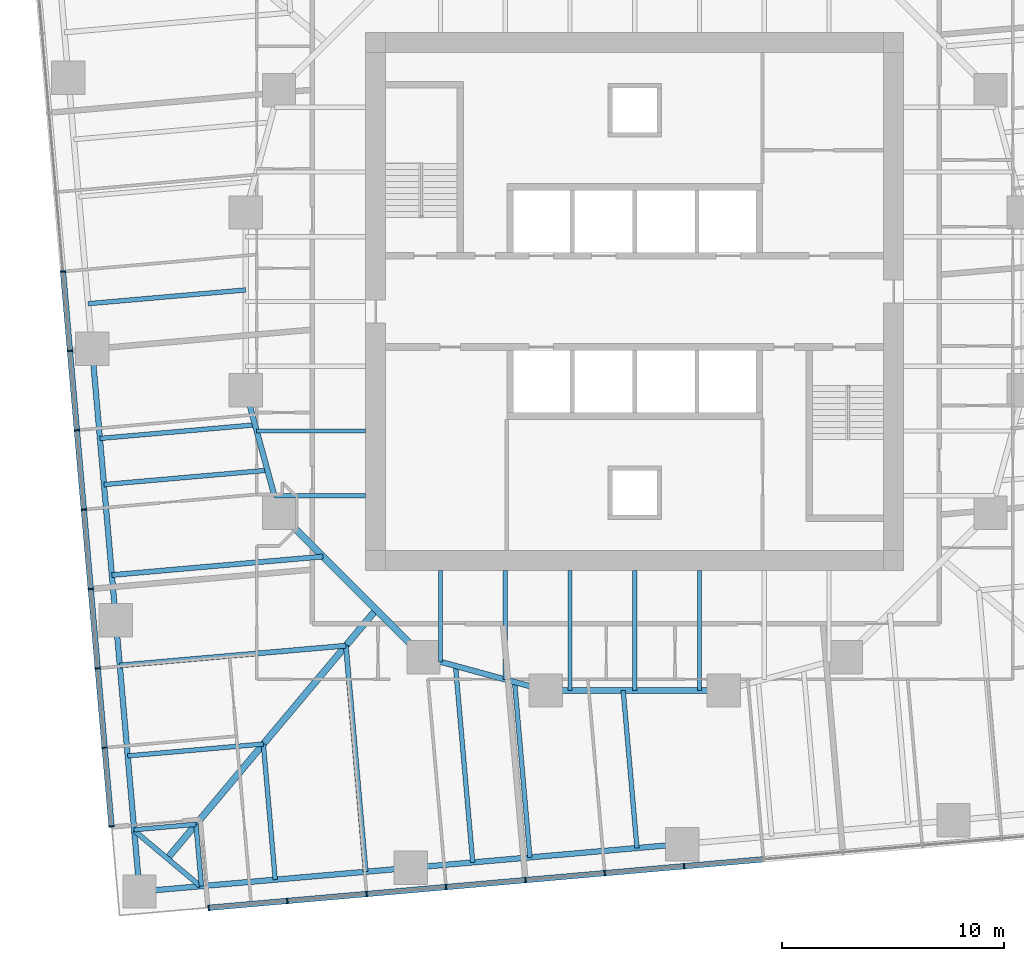
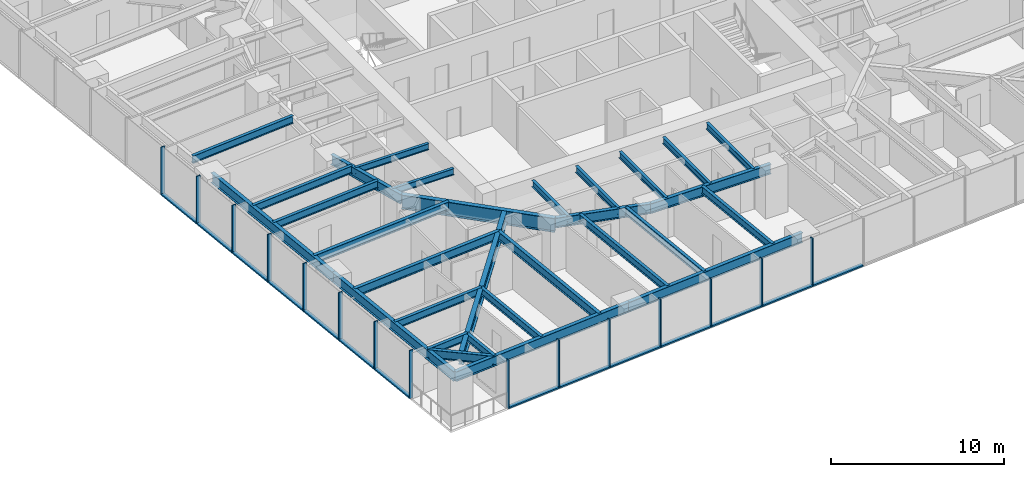
# One storey, part 2 of 14: 30 beams, 29 members, 2 elements without a shape of their own.
"""IFC4 building model written with IfcOpenShell, lengths in metres."""

from ifc_helpers import new_model, si_unit, direction, frame, origin, origin_2d, place, context, subcontext, project, spatial, rectangle, i_section, extrude, material, material_profile, profile_set, type_object, element, aggregate, save


model = new_model("IFC4")

# Units and contexts
model_context = context("Model", 3, precision=1e-05, world=origin(), true_north=direction((0.0, 1.0)))
body_context = subcontext(model_context, "Body", "Model", "MODEL_VIEW")
ifc_project = project(units=[si_unit("LENGTHUNIT", "METRE"), si_unit("AREAUNIT", "SQUARE_METRE"), si_unit("VOLUMEUNIT", "CUBIC_METRE"), si_unit("PLANEANGLEUNIT", "RADIAN"), si_unit("MASSUNIT", "GRAM", prefix="KILO")], contexts=[model_context])

# Site, building, storey
site_placement = place(None, origin())
site = spatial("IfcSite", under=ifc_project, at=site_placement, CompositionType="ELEMENT")
building_placement = place(site_placement, origin())
building = spatial("IfcBuilding", under=site, at=building_placement, Name="Torsade Residences", CompositionType="ELEMENT")
storey_placement = place(building_placement, frame((0.0, 0.0, 54.0)))
storey = spatial("IfcBuildingStorey", under=building, at=storey_placement, Name="L14", CompositionType="ELEMENT", Elevation=54.0)

# Beams
ifc_material_1 = material(Name="Steel grade 300", Category="steel")
ifc_material_profile_1 = material_profile(ifc_material_1, i_section(OverallWidth=0.300048828125, OverallDepth=0.89990234375, WebThickness=0.011962890625, FlangeThickness=0.02490234375, at=origin_2d()), Name="900WB175")
ifc_profile_set_1 = profile_set([ifc_material_profile_1], Name="Steel grade 300")
beam_type_1 = type_object("IfcBeamType", Name="CORNER GIRDER 900WB175", PredefinedType="BEAM", material=ifc_profile_set_1)
beam_1_placement = place(storey_placement, frame((18.978515625, 4.947509765625, 2.800048828125), z_axis=(0.642785419012, 0.766046281307, 0.0), x_axis=(-0.766046281307, 0.642785419012, 0.0)))
element("IfcBeam", 1, at=beam_1_placement, inside=storey, type_object=beam_type_1, Name="Corner girder 01 L15", PredefinedType="BEAM", context=body_context, shape_type="SweptSolid", body=[
    extrude(i_section(OverallWidth=0.300048828125, OverallDepth=0.89990234375, WebThickness=0.011962890625, FlangeThickness=0.02490234375, at=origin_2d()), origin(), (0.0, 0.0, 1.0), 14.603515625),
])
ifc_material_2 = material(Name="Steel grade 300", Category="steel")
ifc_material_profile_2 = material_profile(ifc_material_2, i_section(OverallWidth=0.22802734375, OverallDepth=0.60205078125, WebThickness=0.010498046875, FlangeThickness=0.014892578125, FilletRadius=0.013916015625, at=origin_2d()), Name="610UB101")
ifc_profile_set_2 = profile_set([ifc_material_profile_2], Name="Steel grade 300")
beam_type_2 = type_object("IfcBeamType", Name="CORNER TRIMMER 610UB101", PredefinedType="BEAM", material=ifc_profile_set_2)
beam_2_placement = place(storey_placement, frame((20.468017578125, 3.697509765625, 2.948974609375), z_axis=(-0.766030001697, 0.642804819911, 0.0), x_axis=(-0.642804819911, -0.766030001697, 0.0)))
element("IfcBeam", 2, at=beam_2_placement, inside=storey, type_object=beam_type_2, Name="Corner trimmer 01 L15", PredefinedType="BEAM", context=body_context, shape_type="SweptSolid", body=[
    extrude(i_section(OverallWidth=0.22802734375, OverallDepth=0.60205078125, WebThickness=0.010498046875, FlangeThickness=0.014892578125, FilletRadius=0.013916015625, at=origin_2d()), origin(), (0.0, 0.0, 1.0), 3.88916015625),
])

# Curtain wall, members
ifc_material_3 = material(Name="Aluminium and glass", Category="aluminium")
curtain_wall_type = type_object("IfcCurtainWallType", Name="FRITTED GLASS CURTAIN WALL LOW ZONE", PredefinedType="NOTDEFINED", material=ifc_material_3)
curtain_wall_1_placement = place(storey_placement, origin())
curtain_wall_1 = element("IfcCurtainWall", 3, at=curtain_wall_1_placement, inside=storey, type_object=curtain_wall_type, Name="Curtain wall L14 face 1", PredefinedType="NOTDEFINED")
ifc_material_4 = material(Name="Aluminium mullion", Category="aluminium")
ifc_material_profile_3 = material_profile(ifc_material_4, rectangle(XDim=0.25, YDim=0.06494140625, at=origin_2d()), Name="CURTAIN WALL MULLION 250x65")
ifc_profile_set_3 = profile_set([ifc_material_profile_3], Name="Aluminium mullion")
member_type_1 = type_object("IfcMemberType", Name="CURTAIN WALL MULLION 250x65", PredefinedType="MULLION", material=ifc_profile_set_3)
member_1_placement = place(storey_placement, frame((20.836669921875, 2.72607421875, 0.0), z_axis=(0.0, 0.0, 1.0), x_axis=(-0.087155744208, 0.996194697964, 0.0)))
member_1 = element("IfcMember", 4, at=member_1_placement, type_object=member_type_1, Name="Mullion 1", PredefinedType="MULLION", context=body_context, shape_type="SweptSolid", body=[
    extrude(rectangle(XDim=0.25, YDim=0.06494140625, at=origin_2d()), origin(), (0.0, 0.0, 1.0), 3.39990234375),
])
member_2_placement = place(storey_placement, frame((24.3740234375, 3.035400390625, 0.0), z_axis=(0.0, 0.0, 1.0), x_axis=(-0.087155744208, 0.996194697964, 0.0)))
member_2 = element("IfcMember", 5, at=member_2_placement, type_object=member_type_1, Name="Mullion 2", PredefinedType="MULLION", context=body_context, shape_type="SweptSolid", body=[
    extrude(rectangle(XDim=0.25, YDim=0.06494140625, at=origin_2d()), origin(), (0.0, 0.0, 1.0), 3.39990234375),
])
member_3_placement = place(storey_placement, frame((27.943603515625, 3.347900390625, 0.0), z_axis=(0.0, 0.0, 1.0), x_axis=(-0.087155744208, 0.996194697964, 0.0)))
member_3 = element("IfcMember", 6, at=member_3_placement, type_object=member_type_1, Name="Mullion 3", PredefinedType="MULLION", context=body_context, shape_type="SweptSolid", body=[
    extrude(rectangle(XDim=0.25, YDim=0.06494140625, at=origin_2d()), origin(), (0.0, 0.0, 1.0), 3.39990234375),
])
member_4_placement = place(storey_placement, frame((31.513427734375, 3.66015625, 0.0), z_axis=(0.0, 0.0, 1.0), x_axis=(-0.087155744208, 0.996194697964, 0.0)))
member_4 = element("IfcMember", 7, at=member_4_placement, type_object=member_type_1, Name="Mullion 4", PredefinedType="MULLION", context=body_context, shape_type="SweptSolid", body=[
    extrude(rectangle(XDim=0.25, YDim=0.06494140625, at=origin_2d()), origin(), (0.0, 0.0, 1.0), 3.39990234375),
])
member_5_placement = place(storey_placement, frame((35.0830078125, 3.972412109375, 0.0), z_axis=(0.0, 0.0, 1.0), x_axis=(-0.087155744208, 0.996194697964, 0.0)))
member_5 = element("IfcMember", 8, at=member_5_placement, type_object=member_type_1, Name="Mullion 5", PredefinedType="MULLION", context=body_context, shape_type="SweptSolid", body=[
    extrude(rectangle(XDim=0.25, YDim=0.06494140625, at=origin_2d()), origin(), (0.0, 0.0, 1.0), 3.39990234375),
])
member_6_placement = place(storey_placement, frame((38.65283203125, 4.28466796875, 0.0), z_axis=(0.0, 0.0, 1.0), x_axis=(-0.087155744208, 0.996194697964, 0.0)))
member_6 = element("IfcMember", 9, at=member_6_placement, type_object=member_type_1, Name="Mullion 6", PredefinedType="MULLION", context=body_context, shape_type="SweptSolid", body=[
    extrude(rectangle(XDim=0.25, YDim=0.06494140625, at=origin_2d()), origin(), (0.0, 0.0, 1.0), 3.39990234375),
])
member_7_placement = place(storey_placement, frame((42.222412109375, 4.596923828125, 0.0), z_axis=(0.0, 0.0, 1.0), x_axis=(-0.087155744208, 0.996194697964, 0.0)))
member_7 = element("IfcMember", 10, at=member_7_placement, type_object=member_type_1, Name="Mullion 7", PredefinedType="MULLION", context=body_context, shape_type="SweptSolid", body=[
    extrude(rectangle(XDim=0.25, YDim=0.06494140625, at=origin_2d()), origin(), (0.0, 0.0, 1.0), 3.39990234375),
])

curtain_wall_2_placement = place(storey_placement, origin())
curtain_wall_2 = element("IfcCurtainWall", 11, at=curtain_wall_2_placement, inside=storey, type_object=curtain_wall_type, Name="Curtain wall L14 face 10", PredefinedType="NOTDEFINED")
member_8_placement = place(storey_placement, frame((14.28466796875, 31.34716796875, 0.0), z_axis=(0.0, 0.0, 1.0), x_axis=(0.996194697964, 0.087155744208, 0.0)))
member_8 = element("IfcMember", 12, at=member_8_placement, type_object=member_type_1, Name="Mullion 6", PredefinedType="MULLION", context=body_context, shape_type="SweptSolid", body=[
    extrude(rectangle(XDim=0.25, YDim=0.06494140625, at=origin_2d()), origin(), (0.0, 0.0, 1.0), 3.39990234375),
])
member_9_placement = place(storey_placement, frame((14.596923828125, 27.777587890625, 0.0), z_axis=(0.0, 0.0, 1.0), x_axis=(0.996194697964, 0.087155744208, 0.0)))
member_9 = element("IfcMember", 13, at=member_9_placement, type_object=member_type_1, Name="Mullion 7", PredefinedType="MULLION", context=body_context, shape_type="SweptSolid", body=[
    extrude(rectangle(XDim=0.25, YDim=0.06494140625, at=origin_2d()), origin(), (0.0, 0.0, 1.0), 3.39990234375),
])
member_10_placement = place(storey_placement, frame((14.909423828125, 24.207763671875, 0.0), z_axis=(0.0, 0.0, 1.0), x_axis=(0.996194697964, 0.087155744208, 0.0)))
member_10 = element("IfcMember", 14, at=member_10_placement, type_object=member_type_1, Name="Mullion 8", PredefinedType="MULLION", context=body_context, shape_type="SweptSolid", body=[
    extrude(rectangle(XDim=0.25, YDim=0.06494140625, at=origin_2d()), origin(), (0.0, 0.0, 1.0), 3.39990234375),
])
member_11_placement = place(storey_placement, frame((15.2216796875, 20.63818359375, 0.0), z_axis=(0.0, 0.0, 1.0), x_axis=(0.996194697964, 0.087155744208, 0.0)))
member_11 = element("IfcMember", 15, at=member_11_placement, type_object=member_type_1, Name="Mullion 9", PredefinedType="MULLION", context=body_context, shape_type="SweptSolid", body=[
    extrude(rectangle(XDim=0.25, YDim=0.06494140625, at=origin_2d()), origin(), (0.0, 0.0, 1.0), 3.39990234375),
])
member_12_placement = place(storey_placement, frame((15.533935546875, 17.068359375, 0.0), z_axis=(0.0, 0.0, 1.0), x_axis=(0.996194697964, 0.087155744208, 0.0)))
member_12 = element("IfcMember", 16, at=member_12_placement, type_object=member_type_1, Name="Mullion 10", PredefinedType="MULLION", context=body_context, shape_type="SweptSolid", body=[
    extrude(rectangle(XDim=0.25, YDim=0.06494140625, at=origin_2d()), origin(), (0.0, 0.0, 1.0), 3.39990234375),
])
member_13_placement = place(storey_placement, frame((15.84619140625, 13.498779296875, 0.0), z_axis=(0.0, 0.0, 1.0), x_axis=(0.996194697964, 0.087155744208, 0.0)))
member_13 = element("IfcMember", 17, at=member_13_placement, type_object=member_type_1, Name="Mullion 11", PredefinedType="MULLION", context=body_context, shape_type="SweptSolid", body=[
    extrude(rectangle(XDim=0.25, YDim=0.06494140625, at=origin_2d()), origin(), (0.0, 0.0, 1.0), 3.39990234375),
])
member_14_placement = place(storey_placement, frame((16.15869140625, 9.928955078125, 0.0), z_axis=(0.0, 0.0, 1.0), x_axis=(0.996194697964, 0.087155744208, 0.0)))
member_14 = element("IfcMember", 18, at=member_14_placement, type_object=member_type_1, Name="Mullion 12", PredefinedType="MULLION", context=body_context, shape_type="SweptSolid", body=[
    extrude(rectangle(XDim=0.25, YDim=0.06494140625, at=origin_2d()), origin(), (0.0, 0.0, 1.0), 3.39990234375),
])
member_15_placement = place(storey_placement, frame((16.468017578125, 6.3916015625, 0.0), z_axis=(0.0, 0.0, 1.0), x_axis=(0.996194697964, 0.087155744208, 0.0)))
member_15 = element("IfcMember", 19, at=member_15_placement, type_object=member_type_1, Name="Mullion 13", PredefinedType="MULLION", context=body_context, shape_type="SweptSolid", body=[
    extrude(rectangle(XDim=0.25, YDim=0.06494140625, at=origin_2d()), origin(), (0.0, 0.0, 1.0), 3.39990234375),
])

# Member
ifc_material_5 = material(Name="Aluminium transom", Category="aluminium")
ifc_material_profile_4 = material_profile(ifc_material_5, rectangle(XDim=0.25, YDim=0.10009765625, at=origin_2d()), Name="CURTAIN WALL TRANSOM 250x100")
ifc_profile_set_4 = profile_set([ifc_material_profile_4], Name="Aluminium transom")
member_type_2 = type_object("IfcMemberType", Name="CURTAIN WALL TRANSOM 250x100", PredefinedType="USERDEFINED", material=ifc_profile_set_4)
member_16_placement = place(storey_placement, frame((20.869140625, 2.728759765625, 0.050048828125), z_axis=(0.996190751941, 0.0872008357, 0.0), x_axis=(-0.0872008357, 0.996190751941, 0.0)))
member_16 = element("IfcMember", 20, at=member_16_placement, type_object=member_type_2, Name="Transom 1.1", ObjectType="TRANSOM", PredefinedType="USERDEFINED", context=body_context, shape_type="SweptSolid", body=[
    extrude(rectangle(XDim=0.25, YDim=0.10009765625, at=origin_2d()), origin(), (0.0, 0.0, 1.0), 3.485595703125),
])

member_17_placement = place(storey_placement, frame((24.40625, 3.038330078125, 0.050048828125), z_axis=(0.996195148363, 0.08715059597, 0.0), x_axis=(-0.08715059597, 0.996195148363, 0.0)))
member_17 = element("IfcMember", 21, at=member_17_placement, type_object=member_type_2, Name="Transom 2.1", ObjectType="TRANSOM", PredefinedType="USERDEFINED", context=body_context, shape_type="SweptSolid", body=[
    extrude(rectangle(XDim=0.25, YDim=0.10009765625, at=origin_2d()), origin(), (0.0, 0.0, 1.0), 3.5185546875),
])

member_18_placement = place(storey_placement, frame((27.97607421875, 3.3505859375, 0.050048828125), z_axis=(0.996194621295, 0.087156620531, 0.0), x_axis=(-0.087156620531, 0.996194621295, 0.0)))
member_18 = element("IfcMember", 22, at=member_18_placement, type_object=member_type_2, Name="Transom 3.1", ObjectType="TRANSOM", PredefinedType="USERDEFINED", context=body_context, shape_type="SweptSolid", body=[
    extrude(rectangle(XDim=0.25, YDim=0.10009765625, at=origin_2d()), origin(), (0.0, 0.0, 1.0), 3.518310546875),
])

member_19_placement = place(storey_placement, frame((31.545654296875, 3.662841796875, 0.050048828125), z_axis=(0.996195148363, 0.08715059597, 0.0), x_axis=(-0.08715059597, 0.996195148363, 0.0)))
member_19 = element("IfcMember", 23, at=member_19_placement, type_object=member_type_2, Name="Transom 4.1", ObjectType="TRANSOM", PredefinedType="USERDEFINED", context=body_context, shape_type="SweptSolid", body=[
    extrude(rectangle(XDim=0.25, YDim=0.10009765625, at=origin_2d()), origin(), (0.0, 0.0, 1.0), 3.5185546875),
])

member_20_placement = place(storey_placement, frame((35.115478515625, 3.975341796875, 0.050048828125), z_axis=(0.996194621295, 0.087156620531, 0.0), x_axis=(-0.087156620531, 0.996194621295, 0.0)))
member_20 = element("IfcMember", 24, at=member_20_placement, type_object=member_type_2, Name="Transom 5.1", ObjectType="TRANSOM", PredefinedType="USERDEFINED", context=body_context, shape_type="SweptSolid", body=[
    extrude(rectangle(XDim=0.25, YDim=0.10009765625, at=origin_2d()), origin(), (0.0, 0.0, 1.0), 3.518310546875),
])

member_21_placement = place(storey_placement, frame((38.68505859375, 4.28759765625, 0.050048828125), z_axis=(0.996195148363, 0.08715059597, 0.0), x_axis=(-0.08715059597, 0.996195148363, 0.0)))
member_21 = element("IfcMember", 25, at=member_21_placement, type_object=member_type_2, Name="Transom 6.1", ObjectType="TRANSOM", PredefinedType="USERDEFINED", context=body_context, shape_type="SweptSolid", body=[
    extrude(rectangle(XDim=0.25, YDim=0.10009765625, at=origin_2d()), origin(), (0.0, 0.0, 1.0), 3.5185546875),
])

member_22_placement = place(storey_placement, frame((42.2548828125, 4.599853515625, 0.050048828125), z_axis=(0.996194621295, 0.087156620531, 0.0), x_axis=(-0.087156620531, 0.996194621295, 0.0)))
member_22 = element("IfcMember", 26, at=member_22_placement, type_object=member_type_2, Name="Transom 7.1", ObjectType="TRANSOM", PredefinedType="USERDEFINED", context=body_context, shape_type="SweptSolid", body=[
    extrude(rectangle(XDim=0.25, YDim=0.10009765625, at=origin_2d()), origin(), (0.0, 0.0, 1.0), 3.518310546875),
])

aggregate(curtain_wall_1, [member_1, member_2, member_3, member_4, member_5, member_6, member_7, member_16, member_17, member_18, member_19, member_20, member_21, member_22])

member_23_placement = place(storey_placement, frame((14.28759765625, 31.31494140625, 0.050048828125), z_axis=(0.08715059597, -0.996195148363, 0.0), x_axis=(0.996195148363, 0.08715059597, 0.0)))
member_23 = element("IfcMember", 27, at=member_23_placement, type_object=member_type_2, Name="Transom 6.1", ObjectType="TRANSOM", PredefinedType="USERDEFINED", context=body_context, shape_type="SweptSolid", body=[
    extrude(rectangle(XDim=0.25, YDim=0.10009765625, at=origin_2d()), origin(), (0.0, 0.0, 1.0), 3.5185546875),
])

member_24_placement = place(storey_placement, frame((14.599853515625, 27.7451171875, 0.050048828125), z_axis=(0.087156620531, -0.996194621295, 0.0), x_axis=(0.996194621295, 0.087156620531, 0.0)))
member_24 = element("IfcMember", 28, at=member_24_placement, type_object=member_type_2, Name="Transom 7.1", ObjectType="TRANSOM", PredefinedType="USERDEFINED", context=body_context, shape_type="SweptSolid", body=[
    extrude(rectangle(XDim=0.25, YDim=0.10009765625, at=origin_2d()), origin(), (0.0, 0.0, 1.0), 3.518310546875),
])

member_25_placement = place(storey_placement, frame((14.912109375, 24.175537109375, 0.050048828125), z_axis=(0.08715059597, -0.996195148363, 0.0), x_axis=(0.996195148363, 0.08715059597, 0.0)))
member_25 = element("IfcMember", 29, at=member_25_placement, type_object=member_type_2, Name="Transom 8.1", ObjectType="TRANSOM", PredefinedType="USERDEFINED", context=body_context, shape_type="SweptSolid", body=[
    extrude(rectangle(XDim=0.25, YDim=0.10009765625, at=origin_2d()), origin(), (0.0, 0.0, 1.0), 3.5185546875),
])

member_26_placement = place(storey_placement, frame((15.224365234375, 20.605712890625, 0.050048828125), z_axis=(0.087156620531, -0.996194621295, 0.0), x_axis=(0.996194621295, 0.087156620531, 0.0)))
member_26 = element("IfcMember", 30, at=member_26_placement, type_object=member_type_2, Name="Transom 9.1", ObjectType="TRANSOM", PredefinedType="USERDEFINED", context=body_context, shape_type="SweptSolid", body=[
    extrude(rectangle(XDim=0.25, YDim=0.10009765625, at=origin_2d()), origin(), (0.0, 0.0, 1.0), 3.518310546875),
])

member_27_placement = place(storey_placement, frame((15.536865234375, 17.0361328125, 0.050048828125), z_axis=(0.08715059597, -0.996195148363, 0.0), x_axis=(0.996195148363, 0.08715059597, 0.0)))
member_27 = element("IfcMember", 31, at=member_27_placement, type_object=member_type_2, Name="Transom 10.1", ObjectType="TRANSOM", PredefinedType="USERDEFINED", context=body_context, shape_type="SweptSolid", body=[
    extrude(rectangle(XDim=0.25, YDim=0.10009765625, at=origin_2d()), origin(), (0.0, 0.0, 1.0), 3.5185546875),
])

member_28_placement = place(storey_placement, frame((15.84912109375, 13.46630859375, 0.050048828125), z_axis=(0.087156620531, -0.996194621295, 0.0), x_axis=(0.996194621295, 0.087156620531, 0.0)))
member_28 = element("IfcMember", 32, at=member_28_placement, type_object=member_type_2, Name="Transom 11.1", ObjectType="TRANSOM", PredefinedType="USERDEFINED", context=body_context, shape_type="SweptSolid", body=[
    extrude(rectangle(XDim=0.25, YDim=0.10009765625, at=origin_2d()), origin(), (0.0, 0.0, 1.0), 3.518310546875),
])

member_29_placement = place(storey_placement, frame((16.161376953125, 9.896728515625, 0.050048828125), z_axis=(0.08719475177, -0.996191284475, 0.0), x_axis=(0.996191284475, 0.08719475177, 0.0)))
member_29 = element("IfcMember", 33, at=member_29_placement, type_object=member_type_2, Name="Transom 12.1", ObjectType="TRANSOM", PredefinedType="USERDEFINED", context=body_context, shape_type="SweptSolid", body=[
    extrude(rectangle(XDim=0.25, YDim=0.10009765625, at=origin_2d()), origin(), (0.0, 0.0, 1.0), 3.48583984375),
])

aggregate(curtain_wall_2, [member_8, member_9, member_10, member_11, member_12, member_13, member_14, member_15, member_23, member_24, member_25, member_26, member_27, member_28, member_29])

# Beams
ifc_material_6 = material(Name="Steel grade 300", Category="steel")
ifc_material_profile_5 = material_profile(ifc_material_6, i_section(OverallWidth=0.25, OverallDepth=0.699951171875, WebThickness=0.010009765625, FlangeThickness=0.02001953125, at=origin_2d()), Name="700WB130")
ifc_profile_set_5 = profile_set([ifc_material_profile_5], Name="Steel grade 300")
beam_type_3 = type_object("IfcBeamType", Name="EDGE BEAM 700WB130", PredefinedType="SPANDREL", material=ifc_profile_set_5)
for number, where, z_axis, x_axis, name in (
    (34, (17.728515625, 3.4580078125, 2.89990234375), (0.996194907201, 0.08715335259, 0.0), (-0.08715335259, 0.996194907201, 0.0), "Edge beam 01 L15"),
    (35, (29.931884765625, 4.525634765625, 2.89990234375), (0.996194907201, 0.08715335259, 0.0), (-0.08715335259, 0.996194907201, 0.0), "Edge beam 02 L15"),
    (36, (15.59326171875, 27.86474609375, 2.89990234375), (0.08715335259, -0.996194907201, 0.0), (0.996194907201, 0.08715335259, 0.0), "Edge beam 15 L15"),
    (37, (16.660888671875, 15.661376953125, 2.89990234375), (0.08715335259, -0.996194907201, 0.0), (0.996194907201, 0.08715335259, 0.0), "Edge beam 16 L15"),
):
    element("IfcBeam", number, at=place(storey_placement, frame(where, z_axis=z_axis, x_axis=x_axis)), inside=storey, type_object=beam_type_3, Name=name, PredefinedType="SPANDREL", context=body_context, shape_type="SweptSolid", body=[
        extrude(i_section(OverallWidth=0.25, OverallDepth=0.699951171875, WebThickness=0.010009765625, FlangeThickness=0.02001953125, at=origin_2d()), origin(), (0.0, 0.0, 1.0), 12.25),
    ])
ifc_material_7 = material(Name="Steel grade 300", Category="steel")
ifc_material_profile_6 = material_profile(ifc_material_7, i_section(OverallWidth=0.18994140625, OverallDepth=0.4541015625, WebThickness=0.008544921875, FlangeThickness=0.0126953125, FilletRadius=0.011474609375, at=origin_2d()), Name="460UB67.1")
ifc_profile_set_6 = profile_set([ifc_material_profile_6], Name="Steel grade 300")
beam_type_4 = type_object("IfcBeamType", Name="INNER FLOOR BEAM 460UB67.1", PredefinedType="JOIST", material=ifc_profile_set_6)
for number, where, z_axis, x_axis, name in (
    (38, (42.91259765625, 17.89990234375, 3.02294921875), (0.0, -1.0, 0.0), (1.0, 0.0, 0.0), "Inner floor beam IS03 L15"),
    (39, (40.0, 17.89990234375, 3.02294921875), (0.0, -1.0, 0.0), (1.0, 0.0, 0.0), "Inner floor beam IS04 L15"),
    (40, (37.08740234375, 17.89990234375, 3.02294921875), (0.0, -1.0, 0.0), (1.0, 0.0, 0.0), "Inner floor beam IS05 L15"),
):
    element("IfcBeam", number, at=place(storey_placement, frame(where, z_axis=z_axis, x_axis=x_axis)), inside=storey, type_object=beam_type_4, Name=name, PredefinedType="JOIST", context=body_context, shape_type="SweptSolid", body=[
        extrude(i_section(OverallWidth=0.18994140625, OverallDepth=0.4541015625, WebThickness=0.008544921875, FlangeThickness=0.0126953125, FilletRadius=0.011474609375, at=origin_2d()), origin(), (0.0, 0.0, 1.0), 5.39990234375),
    ])
beam_3_placement = place(storey_placement, frame((34.175048828125, 17.89990234375, 3.02294921875), z_axis=(0.0, -1.0, 0.0), x_axis=(1.0, 0.0, 0.0)))
element("IfcBeam", 41, at=beam_3_placement, inside=storey, type_object=beam_type_4, Name="Inner floor beam IS06 L15", PredefinedType="JOIST", context=body_context, shape_type="SweptSolid", body=[
    extrude(i_section(OverallWidth=0.18994140625, OverallDepth=0.4541015625, WebThickness=0.008544921875, FlangeThickness=0.0126953125, FilletRadius=0.011474609375, at=origin_2d()), origin(), (0.0, 0.0, 1.0), 4.902099609375),
])
beam_4_placement = place(storey_placement, frame((31.262451171875, 17.89990234375, 3.02294921875), z_axis=(0.0, -1.0, 0.0), x_axis=(1.0, 0.0, 0.0)))
element("IfcBeam", 42, at=beam_4_placement, inside=storey, type_object=beam_type_4, Name="Inner floor beam IS07 L15", PredefinedType="JOIST", context=body_context, shape_type="SweptSolid", body=[
    extrude(i_section(OverallWidth=0.18994140625, OverallDepth=0.4541015625, WebThickness=0.008544921875, FlangeThickness=0.0126953125, FilletRadius=0.011474609375, at=origin_2d()), origin(), (0.0, 0.0, 1.0), 4.10791015625),
])
beam_5_placement = place(storey_placement, frame((27.89990234375, 24.175048828125, 3.02294921875), z_axis=(-1.0, 0.0, 0.0), x_axis=(0.0, -1.0, 0.0)))
element("IfcBeam", 43, at=beam_5_placement, inside=storey, type_object=beam_type_4, Name="Inner floor beam IW06 L15", PredefinedType="JOIST", context=body_context, shape_type="SweptSolid", body=[
    extrude(i_section(OverallWidth=0.18994140625, OverallDepth=0.4541015625, WebThickness=0.008544921875, FlangeThickness=0.0126953125, FilletRadius=0.011474609375, at=origin_2d()), origin(), (0.0, 0.0, 1.0), 4.902099609375),
])
beam_6_placement = place(storey_placement, frame((27.89990234375, 21.262451171875, 3.02294921875), z_axis=(-1.0, 0.0, 0.0), x_axis=(0.0, -1.0, 0.0)))
element("IfcBeam", 44, at=beam_6_placement, inside=storey, type_object=beam_type_4, Name="Inner floor beam IW07 L15", PredefinedType="JOIST", context=body_context, shape_type="SweptSolid", body=[
    extrude(i_section(OverallWidth=0.18994140625, OverallDepth=0.4541015625, WebThickness=0.008544921875, FlangeThickness=0.0126953125, FilletRadius=0.011474609375, at=origin_2d()), origin(), (0.0, 0.0, 1.0), 4.10791015625),
])
ifc_material_8 = material(Name="Steel grade 300", Category="steel")
ifc_material_profile_7 = material_profile(ifc_material_8, i_section(OverallWidth=0.300048828125, OverallDepth=1.0, WebThickness=0.01611328125, FlangeThickness=0.028076171875, at=origin_2d()), Name="1000WB215")
ifc_profile_set_7 = profile_set([ifc_material_profile_7], Name="Steel grade 300")
beam_type_5 = type_object("IfcBeamType", Name="RING CORNER GIRDER 1000WB215", PredefinedType="BEAM", material=ifc_profile_set_7)
beam_7_placement = place(storey_placement, frame((24.0, 20.5, 2.75), z_axis=(0.707106781187, -0.707106781187, 0.0), x_axis=(0.707106781187, 0.707106781187, 0.0)))
element("IfcBeam", 45, at=beam_7_placement, inside=storey, type_object=beam_type_5, Name="Ring girder IR11 L15", PredefinedType="BEAM", context=body_context, shape_type="SweptSolid", body=[
    extrude(i_section(OverallWidth=0.300048828125, OverallDepth=1.0, WebThickness=0.01611328125, FlangeThickness=0.028076171875, at=origin_2d()), origin(), (0.0, 0.0, 1.0), 9.1923828125),
])
ifc_material_9 = material(Name="Steel grade 300", Category="steel")
ifc_material_profile_8 = material_profile(ifc_material_9, i_section(OverallWidth=0.25, OverallDepth=0.699951171875, WebThickness=0.010009765625, FlangeThickness=0.02001953125, at=origin_2d()), Name="700WB130")
ifc_profile_set_8 = profile_set([ifc_material_profile_8], Name="Steel grade 300")
beam_type_6 = type_object("IfcBeamType", Name="RING GIRDER 700WB130", PredefinedType="BEAM", material=ifc_profile_set_8)
for number, where, z_axis, x_axis, name in (
    (46, (22.5, 26.0, 2.89990234375), (0.263117405792, -0.964763821238, 0.0), (0.964763821238, 0.263117405792, 0.0), "Ring girder IR10 L15"),
    (47, (30.5, 14.0, 2.89990234375), (0.964763821238, -0.263117405792, 0.0), (0.263117405792, 0.964763821238, 0.0), "Ring girder IR12 L15"),
):
    element("IfcBeam", number, at=place(storey_placement, frame(where, z_axis=z_axis, x_axis=x_axis)), inside=storey, type_object=beam_type_6, Name=name, PredefinedType="BEAM", context=body_context, shape_type="SweptSolid", body=[
        extrude(i_section(OverallWidth=0.25, OverallDepth=0.699951171875, WebThickness=0.010009765625, FlangeThickness=0.02001953125, at=origin_2d()), origin(), (0.0, 0.0, 1.0), 5.700927734375),
    ])
beam_8_placement = place(storey_placement, frame((36.0, 12.5, 2.89990234375), z_axis=(1.0, 0.0, 0.0), x_axis=(0.0, 1.0, 0.0)))
element("IfcBeam", 48, at=beam_8_placement, inside=storey, type_object=beam_type_6, Name="Ring girder IR13 L15", PredefinedType="BEAM", context=body_context, shape_type="SweptSolid", body=[
    extrude(i_section(OverallWidth=0.25, OverallDepth=0.699951171875, WebThickness=0.010009765625, FlangeThickness=0.02001953125, at=origin_2d()), origin(), (0.0, 0.0, 1.0), 8.0),
])
ifc_material_10 = material(Name="Steel grade 300", Category="steel")
ifc_material_profile_9 = material_profile(ifc_material_10, i_section(OverallWidth=0.208984375, OverallDepth=0.528076171875, WebThickness=0.009521484375, FlangeThickness=0.01318359375, FilletRadius=0.013916015625, at=origin_2d()), Name="530UB82.0")
ifc_profile_set_9 = profile_set([ifc_material_profile_9], Name="Steel grade 300")
beam_type_7 = type_object("IfcBeamType", Name="SECONDARY BEAM 530UB82.0", PredefinedType="JOIST", material=ifc_profile_set_9)
beam_9_placement = place(storey_placement, frame((20.509521484375, 3.701171875, 2.986083984375), z_axis=(-0.087105111923, 0.996199126418, 0.0), x_axis=(-0.996199126418, -0.087105111923, 0.0)))
element("IfcBeam", 49, at=beam_9_placement, inside=storey, type_object=beam_type_7, Name="Floor beam FS01 L15", PredefinedType="JOIST", context=body_context, shape_type="SweptSolid", body=[
    extrude(i_section(OverallWidth=0.208984375, OverallDepth=0.528076171875, WebThickness=0.009521484375, FlangeThickness=0.01318359375, FilletRadius=0.013916015625, at=origin_2d()), origin(), (0.0, 0.0, 1.0), 2.79150390625),
])
beam_10_placement = place(storey_placement, frame((23.830322265625, 3.99169921875, 2.986083984375), z_axis=(-0.087171400335, 0.996193328106, 0.0), x_axis=(-0.996193328106, -0.087171400335, 0.0)))
element("IfcBeam", 50, at=beam_10_placement, inside=storey, type_object=beam_type_7, Name="Floor beam FS02 L15", PredefinedType="JOIST", context=body_context, shape_type="SweptSolid", body=[
    extrude(i_section(OverallWidth=0.208984375, OverallDepth=0.528076171875, WebThickness=0.009521484375, FlangeThickness=0.01318359375, FilletRadius=0.013916015625, at=origin_2d()), origin(), (0.0, 0.0, 1.0), 6.125244140625),
])
beam_11_placement = place(storey_placement, frame((32.712890625, 4.768798828125, 2.986083984375), z_axis=(-0.08714612802, 0.996195539225, 0.0), x_axis=(-0.996195539225, -0.08714612802, 0.0)))
element("IfcBeam", 51, at=beam_11_placement, inside=storey, type_object=beam_type_7, Name="Floor beam FS04 L15", PredefinedType="JOIST", context=body_context, shape_type="SweptSolid", body=[
    extrude(i_section(OverallWidth=0.208984375, OverallDepth=0.528076171875, WebThickness=0.009521484375, FlangeThickness=0.01318359375, FilletRadius=0.013916015625, at=origin_2d()), origin(), (0.0, 0.0, 1.0), 8.872314453125),
])
beam_12_placement = place(storey_placement, frame((35.286376953125, 4.994140625, 2.986083984375), z_axis=(-0.087157771408, 0.996194520605, 0.0), x_axis=(-0.996194520605, -0.087157771408, 0.0)))
element("IfcBeam", 52, at=beam_12_placement, inside=storey, type_object=beam_type_7, Name="Floor beam FS05 L15", PredefinedType="JOIST", context=body_context, shape_type="SweptSolid", body=[
    extrude(i_section(OverallWidth=0.208984375, OverallDepth=0.528076171875, WebThickness=0.009521484375, FlangeThickness=0.01318359375, FilletRadius=0.013916015625, at=origin_2d()), origin(), (0.0, 0.0, 1.0), 7.918701171875),
])
for number, where, z_axis, x_axis, name in (
    (53, (40.101318359375, 5.415283203125, 2.986083984375), (-0.087127345813, 0.996197182094, 0.0), (-0.996197182094, -0.087127345813, 0.0), "Floor beam FS06 L15"),
    (54, (15.415283203125, 29.898681640625, 2.986083984375), (0.996197182094, 0.087127345813, 0.0), (-0.087127345813, 0.996197182094, 0.0), "Floor beam FW06 L15"),
):
    element("IfcBeam", number, at=place(storey_placement, frame(where, z_axis=z_axis, x_axis=x_axis)), inside=storey, type_object=beam_type_7, Name=name, PredefinedType="JOIST", context=body_context, shape_type="SweptSolid", body=[
        extrude(i_section(OverallWidth=0.208984375, OverallDepth=0.528076171875, WebThickness=0.009521484375, FlangeThickness=0.01318359375, FilletRadius=0.013916015625, at=origin_2d()), origin(), (0.0, 0.0, 1.0), 7.11181640625),
    ])
beam_13_placement = place(storey_placement, frame((15.945556640625, 23.83837890625, 2.986083984375), z_axis=(0.99619296077, 0.087175598142, 0.0), x_axis=(-0.087175598142, 0.99619296077, 0.0)))
element("IfcBeam", 55, at=beam_13_placement, inside=storey, type_object=beam_type_7, Name="Floor beam FW07 L15", PredefinedType="JOIST", context=body_context, shape_type="SweptSolid", body=[
    extrude(i_section(OverallWidth=0.208984375, OverallDepth=0.528076171875, WebThickness=0.009521484375, FlangeThickness=0.01318359375, FilletRadius=0.013916015625, at=origin_2d()), origin(), (0.0, 0.0, 1.0), 7.004150390625),
])
beam_14_placement = place(storey_placement, frame((16.126953125, 21.762939453125, 2.986083984375), z_axis=(0.996194650902, 0.087156282128, 0.0), x_axis=(-0.087156282128, 0.996194650902, 0.0)))
element("IfcBeam", 56, at=beam_14_placement, inside=storey, type_object=beam_type_7, Name="Floor beam FW08 L15", PredefinedType="JOIST", context=body_context, shape_type="SweptSolid", body=[
    extrude(i_section(OverallWidth=0.208984375, OverallDepth=0.528076171875, WebThickness=0.009521484375, FlangeThickness=0.01318359375, FilletRadius=0.013916015625, at=origin_2d()), origin(), (0.0, 0.0, 1.0), 7.381103515625),
])
beam_15_placement = place(storey_placement, frame((17.19482421875, 9.5595703125, 2.986083984375), z_axis=(0.996193025206, 0.087174861801, 0.0), x_axis=(-0.087174861801, 0.996193025206, 0.0)))
element("IfcBeam", 57, at=beam_15_placement, inside=storey, type_object=beam_type_7, Name="Floor beam FW11 L15", PredefinedType="JOIST", context=body_context, shape_type="SweptSolid", body=[
    extrude(i_section(OverallWidth=0.208984375, OverallDepth=0.528076171875, WebThickness=0.009521484375, FlangeThickness=0.01318359375, FilletRadius=0.013916015625, at=origin_2d()), origin(), (0.0, 0.0, 1.0), 6.125),
])
beam_16_placement = place(storey_placement, frame((17.4853515625, 6.239013671875, 2.986083984375), z_axis=(0.996199126418, 0.087105111923, 0.0), x_axis=(-0.087105111923, 0.996199126418, 0.0)))
element("IfcBeam", 58, at=beam_16_placement, inside=storey, type_object=beam_type_7, Name="Floor beam FW12 L15", PredefinedType="JOIST", context=body_context, shape_type="SweptSolid", body=[
    extrude(i_section(OverallWidth=0.208984375, OverallDepth=0.528076171875, WebThickness=0.009521484375, FlangeThickness=0.01318359375, FilletRadius=0.013916015625, at=origin_2d()), origin(), (0.0, 0.0, 1.0), 2.79150390625),
])
ifc_material_11 = material(Name="Steel grade 300", Category="steel")
ifc_material_profile_10 = material_profile(ifc_material_11, i_section(OverallWidth=0.22900390625, OverallDepth=0.612060546875, WebThickness=0.011962890625, FlangeThickness=0.01953125, FilletRadius=0.013916015625, at=origin_2d()), Name="610UB125")
ifc_profile_set_10 = profile_set([ifc_material_profile_10], Name="Steel grade 300")
beam_type_8 = type_object("IfcBeamType", Name="SECONDARY BEAM 610UB125", PredefinedType="JOIST", material=ifc_profile_set_10)
beam_17_placement = place(storey_placement, frame((27.89794921875, 4.34765625, 2.944091796875), z_axis=(-0.087149742944, 0.996195222988, 0.0), x_axis=(-0.996195222988, -0.087149742944, 0.0)))
element("IfcBeam", 59, at=beam_17_placement, inside=storey, type_object=beam_type_8, Name="Floor beam FS03 L15", PredefinedType="JOIST", context=body_context, shape_type="SweptSolid", body=[
    extrude(i_section(OverallWidth=0.22900390625, OverallDepth=0.612060546875, WebThickness=0.011962890625, FlangeThickness=0.01953125, FilletRadius=0.013916015625, at=origin_2d()), origin(), (0.0, 0.0, 1.0), 10.208251953125),
])
beam_18_placement = place(storey_placement, frame((16.48291015625, 17.6953125, 2.944091796875), z_axis=(0.996195358323, 0.087148195942, 0.0), x_axis=(-0.087148195942, 0.996195358323, 0.0)))
element("IfcBeam", 60, at=beam_18_placement, inside=storey, type_object=beam_type_8, Name="Floor beam FW09 L15", PredefinedType="JOIST", context=body_context, shape_type="SweptSolid", body=[
    extrude(i_section(OverallWidth=0.22900390625, OverallDepth=0.612060546875, WebThickness=0.011962890625, FlangeThickness=0.01953125, FilletRadius=0.013916015625, at=origin_2d()), origin(), (0.0, 0.0, 1.0), 9.527587890625),
])
beam_19_placement = place(storey_placement, frame((16.8388671875, 13.62744140625, 2.944091796875), z_axis=(0.996195222988, 0.087149742944, 0.0), x_axis=(-0.087149742944, 0.996195222988, 0.0)))
element("IfcBeam", 61, at=beam_19_placement, inside=storey, type_object=beam_type_8, Name="Floor beam FW10 L15", PredefinedType="JOIST", context=body_context, shape_type="SweptSolid", body=[
    extrude(i_section(OverallWidth=0.22900390625, OverallDepth=0.612060546875, WebThickness=0.011962890625, FlangeThickness=0.01953125, FilletRadius=0.013916015625, at=origin_2d()), origin(), (0.0, 0.0, 1.0), 10.208251953125),
])

save(model, "model.ifc")
